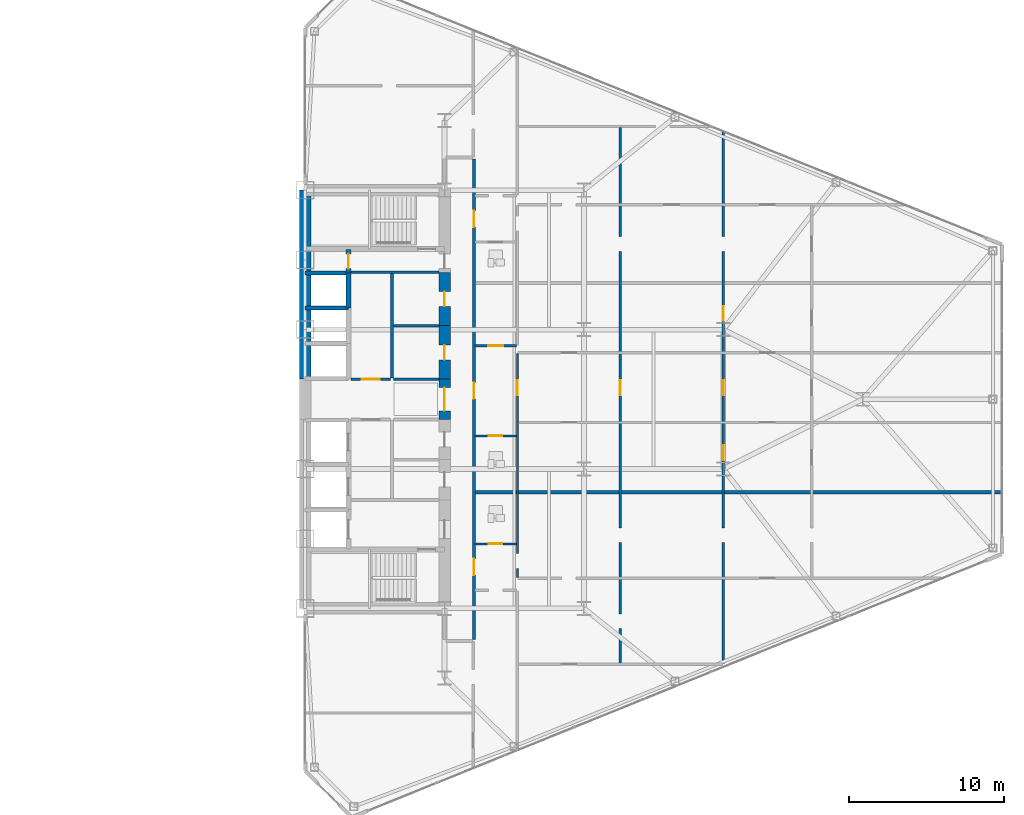
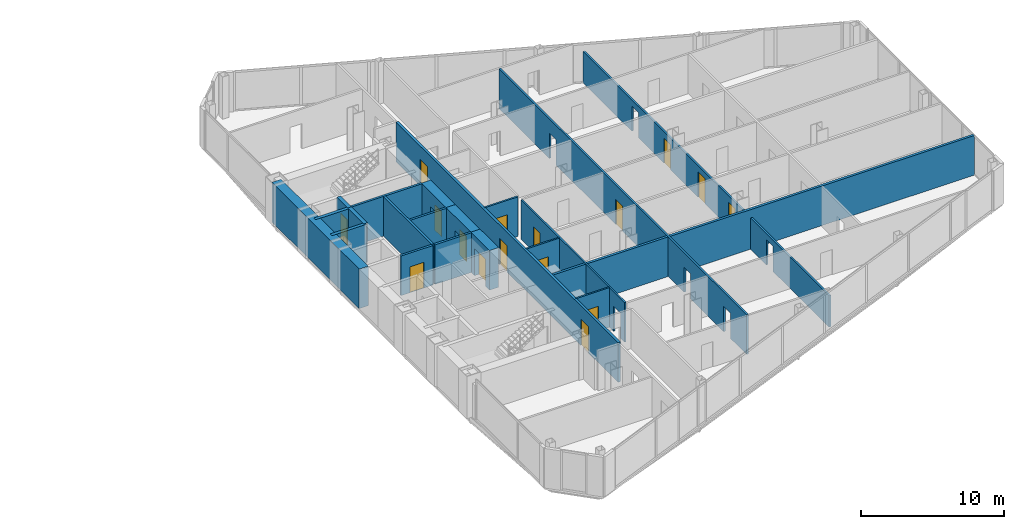
# One storey, part 21 of 25: 21 walls, 16 doors, 22 openings.
"""IFC4 building model written with IfcOpenShell, lengths in metres."""

from ifc_helpers import new_model, si_unit, direction, frame, frame_2d, origin, place, context, subcontext, project, spatial, rectangle, extrude, source, transform, mapped, material, layer, layer_set, type_object, type_shapes, element, fill, save


model = new_model("IFC4")

# Units and contexts
model_context = context("Model", 3, precision=1e-05, world=origin(), true_north=direction((0.0, 1.0)))
body_context = subcontext(model_context, "Body", "Model", "MODEL_VIEW")
ifc_project = project(units=[si_unit("LENGTHUNIT", "METRE"), si_unit("AREAUNIT", "SQUARE_METRE"), si_unit("VOLUMEUNIT", "CUBIC_METRE"), si_unit("PLANEANGLEUNIT", "RADIAN"), si_unit("MASSUNIT", "GRAM", prefix="KILO")], contexts=[model_context])

# Site, building, storey
site_placement = place(None, origin())
site = spatial("IfcSite", under=ifc_project, at=site_placement, CompositionType="ELEMENT")
building_placement = place(site_placement, origin())
building = spatial("IfcBuilding", under=site, at=building_placement, Name="Seokmaru Belvedere", CompositionType="ELEMENT")
storey_placement = place(building_placement, frame((0.0, 0.0, 29.699951171875)))
storey = spatial("IfcBuildingStorey", under=building, at=storey_placement, Name="L07", CompositionType="ELEMENT", Elevation=29.699951171875)

# Wall, opening, door
ifc_material_1 = material(Name="Fire-Rated Gypsum Shaftwall")
ifc_layer_1 = layer(ifc_material_1, 0.14990234375)
ifc_layer_set_1 = layer_set([ifc_layer_1], Name="Fire-Rated Gypsum Shaftwall")
wall_type_1 = type_object("IfcWallType", Name="Apartment Fire-Acoustic Room Partition 150", PredefinedType="PARTITIONING", material=ifc_layer_set_1)
wall_1_placement = place(storey_placement, frame((38.449951171875, 3.449951171875, 0.0), z_axis=(0.0, 0.0, 1.0), x_axis=(1.0, 0.0, 0.0)))
wall_1 = element("IfcWall", 1, at=wall_1_placement, inside=storey, type_object=wall_type_1, Name="L07 Interior Partition 022", PredefinedType="PARTITIONING", context=body_context, shape_type="SweptSolid", body=[
    extrude(rectangle(XDim=2.699951171875, YDim=0.14990234375, at=frame_2d((1.35009765625, 0.0))), origin(), (0.0, 0.0, 1.0), 3.380126953125),
])
opening_1_placement = place(wall_1_placement, frame((0.875, 0.0, 0.0)))
opening_1 = element("IfcOpeningElement", 2, at=opening_1_placement, cuts=wall_1, Name="Opening D05", PredefinedType="OPENING", context=body_context, shape_type="SweptSolid", body=[
    extrude(rectangle(XDim=0.949951171875, YDim=2.14990234375, at=frame_2d((0.47509765625, 1.074951171875))), frame((0.0, 0.0849609375, 0.0), z_axis=(0.0, -1.0, 0.0), x_axis=(1.0, 0.0, 0.0)), (0.0, 0.0, 1.0), 0.169921875),
])
ifc_material_2 = material(Name="Engineered White Oak Timber", Category="wood")
door_type_1 = type_object("IfcDoorType", Name="Apartment Interior Fire-Rated Oak Door 950x2150", OperationType="NOTDEFINED", PredefinedType="DOOR", material=ifc_material_2)
shared_shape_1 = source(origin(), body_context, "Body", "SweptSolid", [
    extrude(rectangle(XDim=0.949951171875, YDim=2.14990234375, at=frame_2d((0.47509765625, 1.074951171875))), frame((0.0, 0.02490234375, 0.0), z_axis=(0.0, -1.0, 0.0), x_axis=(1.0, 0.0, 0.0)), (0.0, 0.0, 1.0), 0.050048828125),
])
type_shapes(door_type_1, [shared_shape_1])
door_1_placement = place(opening_1_placement, origin())
door_1 = element("IfcDoor", 3, at=door_1_placement, inside=storey, type_object=door_type_1, Name="L07 Interior Door 053", OperationType="SINGLE_SWING_RIGHT", OverallHeight=2.14990234375, OverallWidth=0.949951171875, PredefinedType="DOOR", context=body_context, shape_type="MappedRepresentation", body=[
    mapped(shared_shape_1, transform((0.0, 0.0, 0.0), scale=1.0)),
])
fill(opening_1, door_1)

# Wall, openings, door
wall_2_placement = place(storey_placement, frame((47.85009765625, -17.06298828125, 0.0), z_axis=(0.0, 0.0, 1.0), x_axis=(0.0, 1.0, 0.0)))
wall_2 = element("IfcWall", 4, at=wall_2_placement, inside=storey, type_object=wall_type_1, Name="L07 Interior Partition 059", PredefinedType="PARTITIONING", context=body_context, shape_type="SweptSolid", body=[
    extrude(rectangle(XDim=34.6259765625, YDim=0.14990234375, at=frame_2d((17.31298828125, 0.0))), origin(), (0.0, 0.0, 1.0), 3.380126953125),
])
opening_2_placement = place(wall_2_placement, frame((7.809814453125, 0.0, 0.0)))
element("IfcOpeningElement", 5, at=opening_2_placement, cuts=wall_2, Name="L07 Cased Opening 043", PredefinedType="OPENING", context=body_context, shape_type="SweptSolid", body=[
    extrude(rectangle(XDim=0.949951171875, YDim=2.14990234375, at=frame_2d((0.47509765625, 1.074951171875))), frame((0.0, 0.0849609375, 0.0), z_axis=(0.0, -1.0, 0.0), x_axis=(1.0, 0.0, 0.0)), (0.0, 0.0, 1.0), 0.169921875),
])
opening_3_placement = place(wall_2_placement, frame((2.25341796875, 0.0, 0.0)))
element("IfcOpeningElement", 6, at=opening_3_placement, cuts=wall_2, Name="L07 Cased Opening 048", PredefinedType="OPENING", context=body_context, shape_type="SweptSolid", body=[
    extrude(rectangle(XDim=0.949951171875, YDim=2.14990234375, at=frame_2d((0.47509765625, 1.074951171875))), frame((0.0, 0.0849609375, 0.0), z_axis=(0.0, -1.0, 0.0), x_axis=(1.0, 0.0, 0.0)), (0.0, 0.0, 1.0), 0.169921875),
])
opening_4_placement = place(wall_2_placement, frame((17.337890625, 0.0, 0.0)))
opening_4 = element("IfcOpeningElement", 7, at=opening_4_placement, cuts=wall_2, Name="Opening D05", PredefinedType="OPENING", context=body_context, shape_type="SweptSolid", body=[
    extrude(rectangle(XDim=0.949951171875, YDim=2.14990234375, at=frame_2d((0.47509765625, 1.074951171875))), frame((0.0, 0.0849609375, 0.0), z_axis=(0.0, -1.0, 0.0), x_axis=(1.0, 0.0, 0.0)), (0.0, 0.0, 1.0), 0.169921875),
])
opening_5_placement = place(wall_2_placement, frame((26.6162109375, 0.0, 0.0)))
element("IfcOpeningElement", 8, at=opening_5_placement, cuts=wall_2, Name="L07 Cased Opening 070", PredefinedType="OPENING", context=body_context, shape_type="SweptSolid", body=[
    extrude(rectangle(XDim=0.949951171875, YDim=2.14990234375, at=frame_2d((0.47509765625, 1.074951171875))), frame((0.0, 0.0849609375, 0.0), z_axis=(0.0, -1.0, 0.0), x_axis=(1.0, 0.0, 0.0)), (0.0, 0.0, 1.0), 0.169921875),
])
door_2_placement = place(opening_4_placement, origin())
door_2 = element("IfcDoor", 9, at=door_2_placement, inside=storey, type_object=door_type_1, Name="L07 Interior Door 056", OperationType="SINGLE_SWING_LEFT", OverallHeight=2.14990234375, OverallWidth=0.949951171875, PredefinedType="DOOR", context=body_context, shape_type="MappedRepresentation", body=[
    mapped(shared_shape_1, transform((0.0, 0.0, 0.0), scale=1.0)),
])
fill(opening_4, door_2)

# Wall, openings, doors
wall_3_placement = place(storey_placement, frame((54.5, -17.06298828125, 0.0), z_axis=(0.0, 0.0, 1.0), x_axis=(0.0, 1.0, 0.0)))
wall_3 = element("IfcWall", 10, at=wall_3_placement, inside=storey, type_object=wall_type_1, Name="L07 Interior Partition 060", PredefinedType="PARTITIONING", context=body_context, shape_type="SweptSolid", body=[
    extrude(rectangle(XDim=34.384033203125, YDim=0.14990234375, at=frame_2d((17.19189453125, 0.0))), origin(), (0.0, 0.0, 1.0), 2.679931640625),
])
opening_6_placement = place(wall_3_placement, frame((7.809814453125, 0.0, 0.0)))
element("IfcOpeningElement", 11, at=opening_6_placement, cuts=wall_3, Name="L07 Cased Opening 044", PredefinedType="OPENING", context=body_context, shape_type="SweptSolid", body=[
    extrude(rectangle(XDim=0.949951171875, YDim=2.14990234375, at=frame_2d((0.47509765625, 1.074951171875))), frame((0.0, 0.0849609375, 0.0), z_axis=(0.0, -1.0, 0.0), x_axis=(1.0, 0.0, 0.0)), (0.0, 0.0, 1.0), 0.169921875),
])
opening_7_placement = place(wall_3_placement, frame((17.337890625, 0.0, 0.0)))
opening_7 = element("IfcOpeningElement", 12, at=opening_7_placement, cuts=wall_3, Name="Opening D05", PredefinedType="OPENING", context=body_context, shape_type="SweptSolid", body=[
    extrude(rectangle(XDim=0.949951171875, YDim=2.14990234375, at=frame_2d((0.47509765625, 1.074951171875))), frame((0.0, 0.0849609375, 0.0), z_axis=(0.0, -1.0, 0.0), x_axis=(1.0, 0.0, 0.0)), (0.0, 0.0, 1.0), 0.169921875),
])
opening_8_placement = place(wall_3_placement, frame((13.130859375, 0.0, 0.0)))
opening_8 = element("IfcOpeningElement", 13, at=opening_8_placement, cuts=wall_3, Name="Opening D05", PredefinedType="OPENING", context=body_context, shape_type="SweptSolid", body=[
    extrude(rectangle(XDim=0.949951171875, YDim=2.14990234375, at=frame_2d((0.47509765625, 1.074951171875))), frame((0.0, 0.0849609375, 0.0), z_axis=(0.0, -1.0, 0.0), x_axis=(1.0, 0.0, 0.0)), (0.0, 0.0, 1.0), 0.169921875),
])
opening_9_placement = place(wall_3_placement, frame((22.130859375, 0.0, 0.0)))
opening_9 = element("IfcOpeningElement", 14, at=opening_9_placement, cuts=wall_3, Name="Opening D05", PredefinedType="OPENING", context=body_context, shape_type="SweptSolid", body=[
    extrude(rectangle(XDim=0.949951171875, YDim=2.14990234375, at=frame_2d((0.47509765625, 1.074951171875))), frame((0.0, 0.0849609375, 0.0), z_axis=(0.0, -1.0, 0.0), x_axis=(1.0, 0.0, 0.0)), (0.0, 0.0, 1.0), 0.169921875),
])
opening_10_placement = place(wall_3_placement, frame((26.6162109375, 0.0, 0.0)))
element("IfcOpeningElement", 15, at=opening_10_placement, cuts=wall_3, Name="L07 Cased Opening 072", PredefinedType="OPENING", context=body_context, shape_type="SweptSolid", body=[
    extrude(rectangle(XDim=0.949951171875, YDim=2.14990234375, at=frame_2d((0.47509765625, 1.074951171875))), frame((0.0, 0.0849609375, 0.0), z_axis=(0.0, -1.0, 0.0), x_axis=(1.0, 0.0, 0.0)), (0.0, 0.0, 1.0), 0.169921875),
])
door_3_placement = place(opening_7_placement, origin())
door_3 = element("IfcDoor", 16, at=door_3_placement, inside=storey, type_object=door_type_1, Name="L07 Interior Door 058", OperationType="SINGLE_SWING_LEFT", OverallHeight=2.14990234375, OverallWidth=0.949951171875, PredefinedType="DOOR", context=body_context, shape_type="MappedRepresentation", body=[
    mapped(shared_shape_1, transform((0.0, 0.0, 0.0), scale=1.0)),
])
fill(opening_7, door_3)
door_4_placement = place(opening_8_placement, origin())
door_4 = element("IfcDoor", 17, at=door_4_placement, inside=storey, type_object=door_type_1, Name="L07 Interior Door 064", OperationType="SINGLE_SWING_LEFT", OverallHeight=2.14990234375, OverallWidth=0.949951171875, PredefinedType="DOOR", context=body_context, shape_type="MappedRepresentation", body=[
    mapped(shared_shape_1, transform((0.0, 0.0, 0.0), scale=1.0)),
])
fill(opening_8, door_4)
door_5_placement = place(opening_9_placement, origin())
door_5 = element("IfcDoor", 18, at=door_5_placement, inside=storey, type_object=door_type_1, Name="L07 Interior Door 065", OperationType="SINGLE_SWING_RIGHT", OverallHeight=2.14990234375, OverallWidth=0.949951171875, PredefinedType="DOOR", context=body_context, shape_type="MappedRepresentation", body=[
    mapped(shared_shape_1, transform((0.0, 0.0, 0.0), scale=1.0)),
])
fill(opening_9, door_5)

# Walls
ifc_layer_2 = layer(ifc_material_1, 0.179931640625)
ifc_layer_set_2 = layer_set([ifc_layer_2], Name="Fire-Rated Gypsum Shaftwall")
wall_type_2 = type_object("IfcWallType", Name="Core Service Fire Partition 180", PredefinedType="PARTITIONING", material=ifc_layer_set_2)
wall_4_placement = place(storey_placement, frame((30.449951171875, 8.199951171875, 0.0), z_axis=(0.0, 0.0, 1.0), x_axis=(1.0, 0.0, 0.0)))
element("IfcWall", 19, at=wall_4_placement, inside=storey, type_object=wall_type_2, Name="L07 East Smokeproof Vestibule Partition", PredefinedType="PARTITIONING", context=body_context, shape_type="SweptSolid", body=[
    extrude(rectangle(XDim=5.699951171875, YDim=0.179931640625, at=frame_2d((2.85009765625, 0.0))), origin(), (0.0, 0.0, 1.0), 3.380126953125),
])
wall_5_placement = place(storey_placement, frame((33.10009765625, 1.3798828125, 0.0), z_axis=(0.0, 0.0, 1.0), x_axis=(0.0, 1.0, 0.0)))
element("IfcWall", 20, at=wall_5_placement, inside=storey, type_object=wall_type_2, Name="L07 East North Core Service Back Wall", PredefinedType="PARTITIONING", context=body_context, shape_type="SweptSolid", body=[
    extrude(rectangle(XDim=6.740234375, YDim=0.179931640625, at=frame_2d((3.3701171875, 0.0))), origin(), (0.0, 0.0, 1.0), 3.380126953125),
])

# Wall, opening, door
wall_6_placement = place(storey_placement, frame((30.449951171875, 1.300048828125, 0.0), z_axis=(0.0, 0.0, 1.0), x_axis=(1.0, 0.0, 0.0)))
wall_6 = element("IfcWall", 21, at=wall_6_placement, inside=storey, type_object=wall_type_2, Name="L07 East North Lift Lobby Foyer Wall", PredefinedType="PARTITIONING", context=body_context, shape_type="SweptSolid", body=[
    extrude(rectangle(XDim=2.570068359375, YDim=0.179931640625, at=frame_2d((1.28515625, 0.0))), origin(), (0.0, 0.0, 1.0), 3.380126953125),
])
opening_11_placement = place(wall_6_placement, frame((0.7099609375, 0.0, 0.0)))
opening_11 = element("IfcOpeningElement", 22, at=opening_11_placement, cuts=wall_6, Name="Opening D02", PredefinedType="OPENING", context=body_context, shape_type="SweptSolid", body=[
    extrude(rectangle(XDim=1.14990234375, YDim=2.199951171875, at=frame_2d((0.574951171875, 1.10009765625))), frame((0.0, 0.10009765625, 0.0), z_axis=(0.0, -1.0, 0.0), x_axis=(1.0, 0.0, 0.0)), (0.0, 0.0, 1.0), 0.199951171875),
])
ifc_material_3 = material(Name="Fire-Rated Steel Leaf", Category="steel")
door_type_2 = type_object("IfcDoorType", Name="Lobby and Vestibule Fire Door 1150x2200", OperationType="NOTDEFINED", PredefinedType="DOOR", material=ifc_material_3)
shared_shape_2 = source(origin(), body_context, "Body", "SweptSolid", [
    extrude(rectangle(XDim=1.14990234375, YDim=2.199951171875, at=frame_2d((0.574951171875, 1.10009765625))), frame((0.0, 0.02490234375, 0.0), z_axis=(0.0, -1.0, 0.0), x_axis=(1.0, 0.0, 0.0)), (0.0, 0.0, 1.0), 0.050048828125),
])
type_shapes(door_type_2, [shared_shape_2])
door_6_placement = place(opening_11_placement, origin())
door_6 = element("IfcDoor", 23, at=door_6_placement, inside=storey, type_object=door_type_2, Name="L07 East North Lift Lobby Door", OperationType="SINGLE_SWING_LEFT", OverallHeight=2.199951171875, OverallWidth=1.14990234375, PredefinedType="DOOR", context=body_context, shape_type="MappedRepresentation", body=[
    mapped(shared_shape_2, transform((0.0, 0.0, 0.0), scale=1.0)),
])
fill(opening_11, door_6)

# Walls
for number, where, z_axis, x_axis, name in (
    (24, (33.199951171875, 1.300048828125, 0.0), (0.0, 0.0, 1.0), (1.0, 0.0, 0.0), "L07 East Foyer Side Wall N"),
    (25, (33.199951171875, 4.75, 0.0), (0.0, 0.0, 1.0), (1.0, 0.0, 0.0), "L07 East Core Service Partition 2"),
):
    element("IfcWall", number, at=place(storey_placement, frame(where, z_axis=z_axis, x_axis=x_axis)), inside=storey, type_object=wall_type_2, Name=name, PredefinedType="PARTITIONING", context=body_context, shape_type="SweptSolid", body=[
        extrude(rectangle(XDim=2.949951171875, YDim=0.179931640625, at=frame_2d((1.47509765625, 0.0))), origin(), (0.0, 0.0, 1.0), 3.380126953125),
    ])
ifc_material_4 = material(Name="Concrete C50 (50 MPa)", Category="concrete")
ifc_layer_3 = layer(ifc_material_4, 0.25)
ifc_layer_set_3 = layer_set([ifc_layer_3], Name="Concrete C50 (50 MPa)")
wall_type_3 = type_object("IfcWallType", Name="Hoistway Transverse Concrete Divider Wall 250", PredefinedType="SHEAR", material=ifc_layer_set_3)
for number, where, z_axis, x_axis, name in (
    (26, (27.5, 5.89990234375, 0.0), (0.0, 0.0, 1.0), (1.0, 0.0, 0.0), "L07 East Hoistway Divider Core Wall 6"),
    (27, (27.5, 8.14990234375, 0.0), (0.0, 0.0, 1.0), (1.0, 0.0, 0.0), "L07 East Hoistway Divider Core Wall 7"),
):
    element("IfcWall", number, at=place(storey_placement, frame(where, z_axis=z_axis, x_axis=x_axis)), inside=storey, type_object=wall_type_3, Name=name, PredefinedType="SHEAR", context=body_context, shape_type="SweptSolid", body=[
        extrude(rectangle(XDim=2.800048828125, YDim=0.25, at=frame_2d((1.39990234375, 0.0))), origin(), (0.0, 0.0, 1.0), 3.380126953125),
    ])
ifc_layer_4 = layer(ifc_material_1, 0.199951171875)
ifc_layer_set_4 = layer_set([ifc_layer_4], Name="Fire-Rated Gypsum Shaftwall")
wall_type_4 = type_object("IfcWallType", Name="Inter-Tenancy Fire Compartment Partition 200", PredefinedType="PARTITIONING", material=ifc_layer_set_4)
wall_7_placement = place(storey_placement, frame((38.47998046875, -6.0, 0.0), z_axis=(0.0, 0.0, 1.0), x_axis=(1.0, 0.0, 0.0)))
element("IfcWall", 28, at=wall_7_placement, inside=storey, type_object=wall_type_4, Name="L07 Interior Partition 015", PredefinedType="PARTITIONING", context=body_context, shape_type="SweptSolid", body=[
    extrude(rectangle(XDim=34.02490234375, YDim=0.199951171875, at=frame_2d((17.012451171875, 0.0))), origin(), (0.0, 0.0, 1.0), 3.380126953125),
])

# Wall, openings, doors
wall_8_placement = place(storey_placement, frame((38.39990234375, -15.514892578125, 0.0), z_axis=(0.0, 0.0, 1.0), x_axis=(0.0, 1.0, 0.0)))
wall_8 = element("IfcWall", 29, at=wall_8_placement, inside=storey, type_object=wall_type_4, Name="L07 Interior Partition 054", PredefinedType="PARTITIONING", context=body_context, shape_type="SweptSolid", body=[
    extrude(rectangle(XDim=31.02978515625, YDim=0.199951171875, at=frame_2d((15.514892578125, 0.0))), origin(), (0.0, 0.0, 1.0), 3.380126953125),
])
opening_12_placement = place(wall_8_placement, frame((4.16259765625, 0.0, 0.0)))
opening_12 = element("IfcOpeningElement", 30, at=opening_12_placement, cuts=wall_8, Name="Opening D03", PredefinedType="OPENING", context=body_context, shape_type="SweptSolid", body=[
    extrude(rectangle(XDim=1.050048828125, YDim=2.25, at=frame_2d((0.52490234375, 1.125))), frame((0.0, 0.10986328125, 0.0), z_axis=(0.0, -1.0, 0.0), x_axis=(1.0, 0.0, 0.0)), (0.0, 0.0, 1.0), 0.219970703125),
])
opening_13_placement = place(wall_8_placement, frame((15.53759765625, 0.0, 0.0)))
opening_13 = element("IfcOpeningElement", 31, at=opening_13_placement, cuts=wall_8, Name="Opening D03", PredefinedType="OPENING", context=body_context, shape_type="SweptSolid", body=[
    extrude(rectangle(XDim=1.050048828125, YDim=2.25, at=frame_2d((0.52490234375, 1.125))), frame((0.0, 0.10986328125, 0.0), z_axis=(0.0, -1.0, 0.0), x_axis=(1.0, 0.0, 0.0)), (0.0, 0.0, 1.0), 0.219970703125),
])
opening_14_placement = place(wall_8_placement, frame((26.635009765625, 0.0, 0.0)))
opening_14 = element("IfcOpeningElement", 32, at=opening_14_placement, cuts=wall_8, Name="Opening D03", PredefinedType="OPENING", context=body_context, shape_type="SweptSolid", body=[
    extrude(rectangle(XDim=1.050048828125, YDim=2.25, at=frame_2d((0.52490234375, 1.125))), frame((0.0, 0.10986328125, 0.0), z_axis=(0.0, -1.0, 0.0), x_axis=(1.0, 0.0, 0.0)), (0.0, 0.0, 1.0), 0.219970703125),
])
door_type_3 = type_object("IfcDoorType", Name="Apartment Entrance Fire Door 1050x2250", OperationType="NOTDEFINED", PredefinedType="DOOR", material=ifc_material_3)
shared_shape_3 = source(origin(), body_context, "Body", "SweptSolid", [
    extrude(rectangle(XDim=1.050048828125, YDim=2.25, at=frame_2d((0.52490234375, 1.125))), frame((0.0, 0.02490234375, 0.0), z_axis=(0.0, -1.0, 0.0), x_axis=(1.0, 0.0, 0.0)), (0.0, 0.0, 1.0), 0.050048828125),
])
type_shapes(door_type_3, [shared_shape_3])
door_7_placement = place(opening_12_placement, origin())
door_7 = element("IfcDoor", 33, at=door_7_placement, inside=storey, type_object=door_type_3, Name="L07 Interior Door 038", OperationType="SINGLE_SWING_LEFT", OverallHeight=2.25, OverallWidth=1.050048828125, PredefinedType="DOOR", context=body_context, shape_type="MappedRepresentation", body=[
    mapped(shared_shape_3, transform((0.0, 0.0, 0.0), scale=1.0)),
])
fill(opening_12, door_7)
door_8_placement = place(opening_13_placement, origin())
door_8 = element("IfcDoor", 34, at=door_8_placement, inside=storey, type_object=door_type_3, Name="L07 Interior Door 051", OperationType="SINGLE_SWING_RIGHT", OverallHeight=2.25, OverallWidth=1.050048828125, PredefinedType="DOOR", context=body_context, shape_type="MappedRepresentation", body=[
    mapped(shared_shape_3, transform((0.0, 0.0, 0.0), scale=1.0)),
])
fill(opening_13, door_8)
door_9_placement = place(opening_14_placement, origin())
door_9 = element("IfcDoor", 35, at=door_9_placement, inside=storey, type_object=door_type_3, Name="L07 Interior Door 066", OperationType="SINGLE_SWING_LEFT", OverallHeight=2.25, OverallWidth=1.050048828125, PredefinedType="DOOR", context=body_context, shape_type="MappedRepresentation", body=[
    mapped(shared_shape_3, transform((0.0, 0.0, 0.0), scale=1.0)),
])
fill(opening_14, door_9)

# Wall
ifc_layer_5 = layer(ifc_material_4, 0.300048828125)
ifc_layer_set_5 = layer_set([ifc_layer_5], Name="Concrete C50 (50 MPa)")
wall_type_5 = type_object("IfcWallType", Name="Internal Core Stair and Hoistway Wall 300", PredefinedType="SHEAR", material=ifc_layer_set_5)
wall_9_placement = place(storey_placement, frame((30.300048828125, 5.89990234375, 0.0), z_axis=(0.0, 0.0, 1.0), x_axis=(0.0, 1.0, 0.0)))
element("IfcWall", 36, at=wall_9_placement, inside=storey, type_object=wall_type_5, Name="L07 East North Hoistway Wall OBS", PredefinedType="SHEAR", context=body_context, shape_type="SweptSolid", body=[
    extrude(rectangle(XDim=2.25, YDim=0.300048828125, at=frame_2d((1.125, 0.0))), origin(), (0.0, 0.0, 1.0), 3.380126953125),
])

# Wall, opening, door
wall_10_placement = place(storey_placement, frame((30.300048828125, 8.14990234375, 0.0), z_axis=(0.0, 0.0, 1.0), x_axis=(0.0, 1.0, 0.0)))
wall_10 = element("IfcWall", 37, at=wall_10_placement, inside=storey, type_object=wall_type_5, Name="L07 East Electrical Riser Front Wall", PredefinedType="SHEAR", context=body_context, shape_type="SweptSolid", body=[
    extrude(rectangle(XDim=1.530029296875, YDim=0.300048828125, at=frame_2d((0.76513671875, 0.0))), origin(), (0.0, 0.0, 1.0), 3.380126953125),
])
opening_15_placement = place(wall_10_placement, frame((0.284912109375, 0.0, 0.0)))
opening_15 = element("IfcOpeningElement", 38, at=opening_15_placement, cuts=wall_10, Name="Opening D04", PredefinedType="OPENING", context=body_context, shape_type="SweptSolid", body=[
    extrude(rectangle(XDim=0.949951171875, YDim=2.14990234375, at=frame_2d((0.47509765625, 1.074951171875))), frame((0.0, 0.16015625, 0.0), z_axis=(0.0, -1.0, 0.0), x_axis=(1.0, 0.0, 0.0)), (0.0, 0.0, 1.0), 0.320068359375),
])
door_type_4 = type_object("IfcDoorType", Name="Core Service Room Fire Door 950x2150", OperationType="NOTDEFINED", PredefinedType="DOOR", material=ifc_material_3)
shared_shape_4 = source(origin(), body_context, "Body", "SweptSolid", [
    extrude(rectangle(XDim=0.949951171875, YDim=2.14990234375, at=frame_2d((0.47509765625, 1.074951171875))), frame((0.0, 0.02490234375, 0.0), z_axis=(0.0, -1.0, 0.0), x_axis=(1.0, 0.0, 0.0)), (0.0, 0.0, 1.0), 0.050048828125),
])
type_shapes(door_type_4, [shared_shape_4])
door_10_placement = place(opening_15_placement, origin())
door_10 = element("IfcDoor", 39, at=door_10_placement, inside=storey, type_object=door_type_4, Name="L07 East Electrical Riser Access Door", OperationType="SINGLE_SWING_RIGHT", OverallHeight=2.14990234375, OverallWidth=0.949951171875, PredefinedType="DOOR", context=body_context, shape_type="MappedRepresentation", body=[
    mapped(shared_shape_4, transform((0.0, 0.0, 0.0), scale=1.0)),
])
fill(opening_15, door_10)

# Wall
ifc_material_5 = material(Name="Concrete C60 (60 MPa)", Category="concrete")
ifc_layer_6 = layer(ifc_material_5, 0.75)
ifc_layer_set_6 = layer_set([ifc_layer_6], Name="Concrete C60 (60 MPa)")
wall_type_6 = type_object("IfcWallType", Name="Lower Tower Reinforced Concrete Core Wall 750", PredefinedType="SHEAR", material=ifc_layer_set_6)
wall_11_placement = place(storey_placement, frame((27.5, 1.300048828125, 0.0), z_axis=(0.0, 0.0, 1.0), x_axis=(0.0, 1.0, 0.0)))
element("IfcWall", 40, at=wall_11_placement, inside=storey, type_object=wall_type_6, Name="L07 East Portal Spine Core Wall North", PredefinedType="SHEAR", context=body_context, shape_type="SweptSolid", body=[
    extrude(rectangle(XDim=12.199951171875, YDim=0.75, at=frame_2d((6.10009765625, 0.0))), origin(), (0.0, 0.0, 1.0), 3.380126953125),
])

# Wall, opening, door
wall_12_placement = place(storey_placement, frame((36.5, -1.300048828125, 0.0), z_axis=(0.0, 0.0, 1.0), x_axis=(0.0, 1.0, 0.0)))
wall_12 = element("IfcWall", 41, at=wall_12_placement, inside=storey, type_object=wall_type_6, Name="L07 East West Core Wall FOY", PredefinedType="SHEAR", context=body_context, shape_type="SweptSolid", body=[
    extrude(rectangle(XDim=2.60009765625, YDim=0.75, at=frame_2d((1.300048828125, 0.0))), origin(), (0.0, 0.0, 1.0), 3.380126953125),
])
opening_16_placement = place(wall_12_placement, frame((0.550048828125, 0.0, 0.0)))
opening_16 = element("IfcOpeningElement", 42, at=opening_16_placement, cuts=wall_12, Name="Opening D08", PredefinedType="OPENING", context=body_context, shape_type="SweptSolid", body=[
    extrude(rectangle(XDim=1.5, YDim=2.300048828125, at=frame_2d((0.75, 1.14990234375))), frame((0.0, 0.385009765625, 0.0), z_axis=(0.0, -1.0, 0.0), x_axis=(1.0, 0.0, 0.0)), (0.0, 0.0, 1.0), 0.77001953125),
])
door_type_5 = type_object("IfcDoorType", Name="Cross-Corridor Compartment Double Fire Door 1500x2300", OperationType="DOUBLE_SWING_LEFT", PredefinedType="DOOR", material=ifc_material_3)
shared_shape_5 = source(origin(), body_context, "Body", "SweptSolid", [
    extrude(rectangle(XDim=1.5, YDim=2.300048828125, at=frame_2d((0.75, 1.14990234375))), frame((0.0, 0.02490234375, 0.0), z_axis=(0.0, -1.0, 0.0), x_axis=(1.0, 0.0, 0.0)), (0.0, 0.0, 1.0), 0.050048828125),
])
type_shapes(door_type_5, [shared_shape_5])
door_11_placement = place(opening_16_placement, origin())
door_11 = element("IfcDoor", 43, at=door_11_placement, inside=storey, type_object=door_type_5, Name="L07 East Core Foyer Compartment Door", OperationType="DOUBLE_SWING_LEFT", OverallHeight=2.300048828125, OverallWidth=1.5, PredefinedType="DOOR", context=body_context, shape_type="MappedRepresentation", body=[
    mapped(shared_shape_5, transform((0.0, 0.0, 0.0), scale=1.0)),
])
fill(opening_16, door_11)

wall_13_placement = place(storey_placement, frame((36.5, 1.300048828125, 0.0), z_axis=(0.0, 0.0, 1.0), x_axis=(0.0, 1.0, 0.0)))
wall_13 = element("IfcWall", 44, at=wall_13_placement, inside=storey, type_object=wall_type_6, Name="L07 East West Core Wall CS3", PredefinedType="SHEAR", context=body_context, shape_type="SweptSolid", body=[
    extrude(rectangle(XDim=3.449951171875, YDim=0.75, at=frame_2d((1.72509765625, 0.0))), origin(), (0.0, 0.0, 1.0), 3.380126953125),
])
opening_17_placement = place(wall_13_placement, frame((1.25, 0.0, 0.0)))
opening_17 = element("IfcOpeningElement", 45, at=opening_17_placement, cuts=wall_13, Name="Opening D04", PredefinedType="OPENING", context=body_context, shape_type="SweptSolid", body=[
    extrude(rectangle(XDim=0.949951171875, YDim=2.14990234375, at=frame_2d((0.47509765625, 1.074951171875))), frame((0.0, 0.385009765625, 0.0), z_axis=(0.0, -1.0, 0.0), x_axis=(1.0, 0.0, 0.0)), (0.0, 0.0, 1.0), 0.77001953125),
])
door_12_placement = place(opening_17_placement, origin())
door_12 = element("IfcDoor", 46, at=door_12_placement, inside=storey, type_object=door_type_4, Name="L07 East Core Service Room Door 3", OperationType="SINGLE_SWING_RIGHT", OverallHeight=2.14990234375, OverallWidth=0.949951171875, PredefinedType="DOOR", context=body_context, shape_type="MappedRepresentation", body=[
    mapped(shared_shape_4, transform((0.0, 0.0, 0.0), scale=1.0)),
])
fill(opening_17, door_12)

wall_14_placement = place(storey_placement, frame((36.5, 4.75, 0.0), z_axis=(0.0, 0.0, 1.0), x_axis=(0.0, 1.0, 0.0)))
wall_14 = element("IfcWall", 47, at=wall_14_placement, inside=storey, type_object=wall_type_6, Name="L07 East West Core Wall CS4", PredefinedType="SHEAR", context=body_context, shape_type="SweptSolid", body=[
    extrude(rectangle(XDim=3.449951171875, YDim=0.75, at=frame_2d((1.72509765625, 0.0))), origin(), (0.0, 0.0, 1.0), 3.380126953125),
])
opening_18_placement = place(wall_14_placement, frame((1.25, 0.0, 0.0)))
opening_18 = element("IfcOpeningElement", 48, at=opening_18_placement, cuts=wall_14, Name="Opening D04", PredefinedType="OPENING", context=body_context, shape_type="SweptSolid", body=[
    extrude(rectangle(XDim=0.949951171875, YDim=2.14990234375, at=frame_2d((0.47509765625, 1.074951171875))), frame((0.0, 0.385009765625, 0.0), z_axis=(0.0, -1.0, 0.0), x_axis=(1.0, 0.0, 0.0)), (0.0, 0.0, 1.0), 0.77001953125),
])
door_13_placement = place(opening_18_placement, origin())
door_13 = element("IfcDoor", 49, at=door_13_placement, inside=storey, type_object=door_type_4, Name="L07 East Core Service Room Door 4", OperationType="SINGLE_SWING_LEFT", OverallHeight=2.14990234375, OverallWidth=0.949951171875, PredefinedType="DOOR", context=body_context, shape_type="MappedRepresentation", body=[
    mapped(shared_shape_4, transform((0.0, 0.0, 0.0), scale=1.0)),
])
fill(opening_18, door_13)

ifc_layer_7 = layer(ifc_material_1, 0.1298828125)
ifc_layer_set_7 = layer_set([ifc_layer_7], Name="Fire-Rated Gypsum Shaftwall")
wall_type_7 = type_object("IfcWallType", Name="Moisture-Resistant Fire-Rated Bathroom Partition 130", PredefinedType="PARTITIONING", material=ifc_layer_set_7)
wall_15_placement = place(storey_placement, frame((38.449951171875, -9.330078125, 0.0), z_axis=(0.0, 0.0, 1.0), x_axis=(1.0, 0.0, 0.0)))
wall_15 = element("IfcWall", 50, at=wall_15_placement, inside=storey, type_object=wall_type_7, Name="L07 Interior Partition 012", PredefinedType="PARTITIONING", context=body_context, shape_type="SweptSolid", body=[
    extrude(rectangle(XDim=2.699951171875, YDim=0.1298828125, at=frame_2d((1.35009765625, 0.0))), origin(), (0.0, 0.0, 1.0), 3.380126953125),
])
opening_19_placement = place(wall_15_placement, frame((0.909912109375, 0.0, 0.0)))
opening_19 = element("IfcOpeningElement", 51, at=opening_19_placement, cuts=wall_15, Name="Opening D06", PredefinedType="OPENING", context=body_context, shape_type="SweptSolid", body=[
    extrude(rectangle(XDim=0.8798828125, YDim=2.10009765625, at=frame_2d((0.43994140625, 1.050048828125))), frame((0.0, 0.074951171875, 0.0), z_axis=(0.0, -1.0, 0.0), x_axis=(1.0, 0.0, 0.0)), (0.0, 0.0, 1.0), 0.14990234375),
])
door_type_6 = type_object("IfcDoorType", Name="Bathroom and Restroom Fire-Rated Door 880x2100", OperationType="NOTDEFINED", PredefinedType="DOOR", material=ifc_material_2)
shared_shape_6 = source(origin(), body_context, "Body", "SweptSolid", [
    extrude(rectangle(XDim=0.8798828125, YDim=2.10009765625, at=frame_2d((0.43994140625, 1.050048828125))), frame((0.0, 0.02490234375, 0.0), z_axis=(0.0, -1.0, 0.0), x_axis=(1.0, 0.0, 0.0)), (0.0, 0.0, 1.0), 0.050048828125),
])
type_shapes(door_type_6, [shared_shape_6])
door_14_placement = place(opening_19_placement, origin())
door_14 = element("IfcDoor", 52, at=door_14_placement, inside=storey, type_object=door_type_6, Name="L07 Interior Door 039", OperationType="SINGLE_SWING_RIGHT", OverallHeight=2.10009765625, OverallWidth=0.8798828125, PredefinedType="DOOR", context=body_context, shape_type="MappedRepresentation", body=[
    mapped(shared_shape_6, transform((0.0, 0.0, 0.0), scale=1.0)),
])
fill(opening_19, door_14)

wall_16_placement = place(storey_placement, frame((38.449951171875, -2.360107421875, 0.0), z_axis=(0.0, 0.0, 1.0), x_axis=(1.0, 0.0, 0.0)))
wall_16 = element("IfcWall", 53, at=wall_16_placement, inside=storey, type_object=wall_type_7, Name="L07 Interior Partition 017", PredefinedType="PARTITIONING", context=body_context, shape_type="SweptSolid", body=[
    extrude(rectangle(XDim=2.699951171875, YDim=0.1298828125, at=frame_2d((1.35009765625, 0.0))), origin(), (0.0, 0.0, 1.0), 3.380126953125),
])
opening_20_placement = place(wall_16_placement, frame((0.909912109375, 0.0, 0.0)))
opening_20 = element("IfcOpeningElement", 54, at=opening_20_placement, cuts=wall_16, Name="Opening D06", PredefinedType="OPENING", context=body_context, shape_type="SweptSolid", body=[
    extrude(rectangle(XDim=0.8798828125, YDim=2.10009765625, at=frame_2d((0.43994140625, 1.050048828125))), frame((0.0, 0.074951171875, 0.0), z_axis=(0.0, -1.0, 0.0), x_axis=(1.0, 0.0, 0.0)), (0.0, 0.0, 1.0), 0.14990234375),
])
door_15_placement = place(opening_20_placement, origin())
door_15 = element("IfcDoor", 55, at=door_15_placement, inside=storey, type_object=door_type_6, Name="L07 Interior Door 052", OperationType="SINGLE_SWING_RIGHT", OverallHeight=2.10009765625, OverallWidth=0.8798828125, PredefinedType="DOOR", context=body_context, shape_type="MappedRepresentation", body=[
    mapped(shared_shape_6, transform((0.0, 0.0, 0.0), scale=1.0)),
])
fill(opening_20, door_15)

# Wall, openings, door
wall_17_placement = place(storey_placement, frame((41.199951171875, -11.506103515625, 0.0), z_axis=(0.0, 0.0, 1.0), x_axis=(0.0, 1.0, 0.0)))
wall_17 = element("IfcWall", 56, at=wall_17_placement, inside=storey, type_object=wall_type_7, Name="L07 Interior Partition 056", PredefinedType="PARTITIONING", context=body_context, shape_type="SweptSolid", body=[
    extrude(rectangle(XDim=14.4560546875, YDim=0.1298828125, at=frame_2d((7.22802734375, 0.0))), origin(), (0.0, 0.0, 1.0), 3.380126953125),
])
opening_21_placement = place(wall_17_placement, frame((0.589111328125, 0.0, 0.0)))
element("IfcOpeningElement", 57, at=opening_21_placement, cuts=wall_17, Name="L07 Cased Opening 041", PredefinedType="OPENING", context=body_context, shape_type="SweptSolid", body=[
    extrude(rectangle(XDim=0.949951171875, YDim=2.14990234375, at=frame_2d((0.47509765625, 1.074951171875))), frame((0.0, 0.074951171875, 0.0), z_axis=(0.0, -1.0, 0.0), x_axis=(1.0, 0.0, 0.0)), (0.0, 0.0, 1.0), 0.14990234375),
])
opening_22_placement = place(wall_17_placement, frame((11.781005859375, 0.0, 0.0)))
opening_22 = element("IfcOpeningElement", 58, at=opening_22_placement, cuts=wall_17, Name="Opening D05", PredefinedType="OPENING", context=body_context, shape_type="SweptSolid", body=[
    extrude(rectangle(XDim=0.949951171875, YDim=2.14990234375, at=frame_2d((0.47509765625, 1.074951171875))), frame((0.0, 0.074951171875, 0.0), z_axis=(0.0, -1.0, 0.0), x_axis=(1.0, 0.0, 0.0)), (0.0, 0.0, 1.0), 0.14990234375),
])
door_16_placement = place(opening_22_placement, origin())
door_16 = element("IfcDoor", 59, at=door_16_placement, inside=storey, type_object=door_type_1, Name="L07 Interior Door 054", OperationType="SINGLE_SWING_LEFT", OverallHeight=2.14990234375, OverallWidth=0.949951171875, PredefinedType="DOOR", context=body_context, shape_type="MappedRepresentation", body=[
    mapped(shared_shape_1, transform((0.0, 0.0, 0.0), scale=1.0)),
])
fill(opening_22, door_16)

save(model, "model.ifc")
